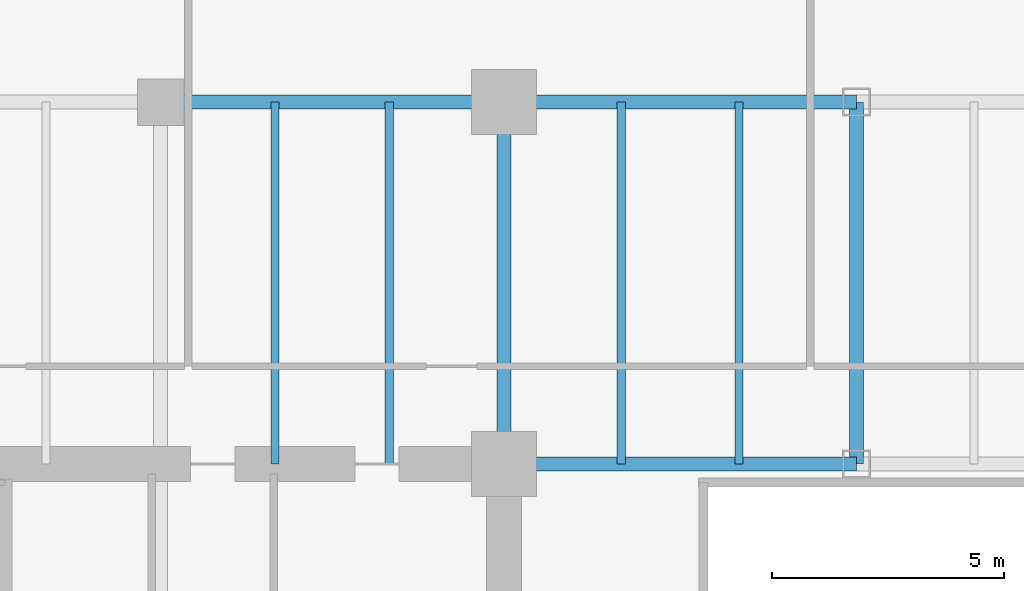
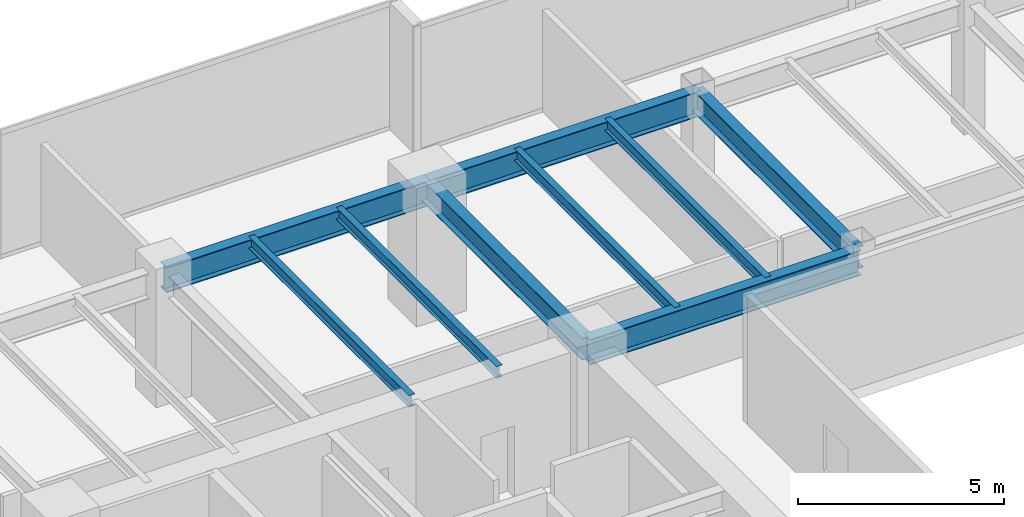
# One storey, part 13 of 35: 9 beams.
"""IFC4 building model written with IfcOpenShell, lengths in metres."""

import ifcopenshell
import ifcopenshell.guid

model = None  # the IFC model being written
_history = None  # IfcOwnerHistory: only IFC2X3 demands one
_inside = {}  # id of a spatial element -> (the spatial element, [elements in it])
_under = {}  # id of a project, library or spatial element -> (it, [spatial elements below it])
_declared = {}  # id of a project -> (the project, [libraries it declares])
_typed = {}  # id of a type object -> (the type object, [elements of that type])
_made_of = {}  # id of a material, layer set ... -> (it, [elements and type objects made of it])


def new_model(schema):
    """Start an empty IFC model of exactly this schema.

    Asked for "IFC4X3", IfcOpenShell would pick the latest addendum, in which some entities
    have other attributes; the version numbers below select the first issue.
    IFC2X3 requires an IfcOwnerHistory on every rooted entity: one is made here for all.
    """
    global model, _history
    if schema == "IFC4X3":
        model = ifcopenshell.file(schema_version=(4, 3, 0, 0))
    else:
        model = ifcopenshell.file(schema=schema)
    _inside.clear()
    _under.clear()
    _declared.clear()
    _typed.clear()
    _made_of.clear()
    _history = None
    if model.schema == "IFC2X3":
        org = make("IfcOrganization", Name="unknown")
        user = make(
            "IfcPersonAndOrganization",
            ThePerson=make("IfcPerson", FamilyName="unknown"),
            TheOrganization=org,
        )
        app = make(
            "IfcApplication",
            ApplicationDeveloper=org,
            Version="unknown",
            ApplicationFullName="unknown",
            ApplicationIdentifier="unknown",
        )
        _history = make(
            "IfcOwnerHistory",
            OwningUser=user,
            OwningApplication=app,
            ChangeAction="ADDED",
            CreationDate=0,
        )
    return model


def make(cls, **values):
    """One entity of the class cls with the attributes given. An attribute that is None is left unset."""
    return model.create_entity(
        cls, **{name: value for name, value in values.items() if value is not None}
    )


def rooted(cls, **values):
    """An entity with a GlobalId (a new one), such as an element, a storey or a relation."""
    return make(cls, GlobalId=ifcopenshell.guid.new(), OwnerHistory=_history, **values)


def si_unit(unit_type, name, prefix=None):
    """IfcSIUnit, for example si_unit("LENGTHUNIT", "METRE", prefix="MILLI")."""
    return make("IfcSIUnit", UnitType=unit_type, Prefix=prefix, Name=name)


def assignment(units):
    """IfcUnitAssignment: the units of a project."""
    return None if units is None else make("IfcUnitAssignment", Units=units)


def point(xyz):
    """IfcCartesianPoint."""
    return None if xyz is None else make("IfcCartesianPoint", Coordinates=xyz)


def direction(xyz):
    """IfcDirection."""
    return None if xyz is None else make("IfcDirection", DirectionRatios=xyz)


def frame(location, z_axis=None, x_axis=None):
    """IfcAxis2Placement3D, a coordinate frame: its origin and axes. An axis left out is left unset."""
    return make(
        "IfcAxis2Placement3D",
        Location=point(location),
        Axis=direction(z_axis),
        RefDirection=direction(x_axis),
    )


def frame_2d(location, x_axis=None):
    """IfcAxis2Placement2D, a coordinate frame in the plane: its origin and x axis."""
    return make(
        "IfcAxis2Placement2D", Location=point(location), RefDirection=direction(x_axis)
    )


def origin():
    """The frame at (0, 0, 0) with its axes left unset."""
    return frame((0.0, 0.0, 0.0))


def origin_2d():
    """The frame at (0, 0) in the plane with its x axis left unset."""
    return frame_2d((0.0, 0.0))


def place(relative_to, where):
    """IfcLocalPlacement: puts the frame where relative to a parent placement (None: the world)."""
    return make(
        "IfcLocalPlacement", PlacementRelTo=relative_to, RelativePlacement=where
    )


def context(
    kind, dimensions, precision=None, world=None, true_north=None, identifier=None
):
    """IfcGeometricRepresentationContext, for example the 3D "Model" context."""
    return make(
        "IfcGeometricRepresentationContext",
        ContextIdentifier=identifier,
        ContextType=kind,
        CoordinateSpaceDimension=dimensions,
        Precision=precision,
        WorldCoordinateSystem=world,
        TrueNorth=true_north,
    )


def subcontext(parent, identifier, kind, view, scale=None):
    """IfcGeometricRepresentationSubContext, for example "Body" below "Model"."""
    return make(
        "IfcGeometricRepresentationSubContext",
        ContextIdentifier=identifier,
        ContextType=kind,
        ParentContext=parent,
        TargetScale=scale,
        TargetView=view,
    )


def project(units=None, contexts=None):
    """IfcProject with its units and contexts."""
    return rooted(
        "IfcProject",
        Name="project",
        RepresentationContexts=contexts,
        UnitsInContext=assignment(units),
    )


def spatial(cls, under=None, at=None, **own):
    """A site, building, storey or space (cls), placed at a placement, below another one or the project."""
    s = rooted(cls, ObjectPlacement=at, **own)
    if under is not None:
        _under.setdefault(under.id(), (under, []))[1].append(s)
    return s


def profile(cls, at=None, kind="AREA", **sizes):
    """A parametric profile (cls). Its sizes go by their IFC names, for example OverallWidth=200.0."""
    return make(cls, ProfileType=kind, Position=at, **sizes)


def i_section(**sizes):
    """IfcIShapeProfileDef."""
    return profile("IfcIShapeProfileDef", **sizes)


def extrude(swept, where, along, depth):
    """IfcExtrudedAreaSolid: the profile swept, set in the frame where, extruded along a direction by depth."""
    return make(
        "IfcExtrudedAreaSolid",
        SweptArea=swept,
        Position=where,
        ExtrudedDirection=direction(along),
        Depth=depth,
    )


def shape(context_of_items, identifier, shape_type, items):
    """IfcShapeRepresentation: the items that make up one representation, for example the "Body"."""
    return make(
        "IfcShapeRepresentation",
        ContextOfItems=context_of_items,
        RepresentationIdentifier=identifier,
        RepresentationType=shape_type,
        Items=items,
    )


def source(mapping_origin, context_of_items, identifier, shape_type, items):
    """IfcRepresentationMap: a shape defined once, which mapped items show again and again."""
    return make(
        "IfcRepresentationMap",
        MappingOrigin=mapping_origin,
        MappedRepresentation=shape(context_of_items, identifier, shape_type, items),
    )


def transform(
    local_origin,
    x_axis=None,
    y_axis=None,
    z_axis=None,
    scale=None,
    scale2=None,
    scale3=None,
    uniform=True,
):
    """IfcCartesianTransformationOperator3D, or its non-uniform kind. x_axis, y_axis, z_axis: its Axis1, 2, 3."""
    if uniform:
        return make(
            "IfcCartesianTransformationOperator3D",
            Axis1=direction(x_axis),
            Axis2=direction(y_axis),
            LocalOrigin=point(local_origin),
            Scale=scale,
            Axis3=direction(z_axis),
        )
    return make(
        "IfcCartesianTransformationOperator3DnonUniform",
        Axis1=direction(x_axis),
        Axis2=direction(y_axis),
        LocalOrigin=point(local_origin),
        Scale=scale,
        Axis3=direction(z_axis),
        Scale2=scale2,
        Scale3=scale3,
    )


def mapped(mapping_source, mapping_target):
    """IfcMappedItem: shows the shape of a source again, moved by a transform."""
    return make(
        "IfcMappedItem", MappingSource=mapping_source, MappingTarget=mapping_target
    )


def material(Name=None, Category=None):
    """IfcMaterial."""
    return make("IfcMaterial", Name=Name, Category=Category)


def material_profile(
    of_material, cross_section, Name=None, Category=None, Priority=None
):
    """IfcMaterialProfile: a cross section and its material."""
    return make(
        "IfcMaterialProfile",
        Name=Name,
        Material=of_material,
        Profile=cross_section,
        Priority=Priority,
        Category=Category,
    )


def profile_set(profiles, Name=None, composite=None):
    """IfcMaterialProfileSet."""
    return make(
        "IfcMaterialProfileSet",
        Name=Name,
        MaterialProfiles=profiles,
        CompositeProfile=composite,
    )


def made_of(thing, what):
    """Note that an element or type object is made of a material, layer set ...; save() writes the relation."""
    if what is not None:
        _made_of.setdefault(what.id(), (what, []))[1].append(thing)
    return thing


def type_object(cls, material=None, **own):
    """A type object (cls), such as IfcWallType, which elements share."""
    return made_of(rooted(cls, **own), material)


def type_shapes(of_type, sources):
    """Give a type object the sources (RepresentationMaps) that its elements show as mapped items."""
    of_type.RepresentationMaps = sources


def element(
    cls,
    number,
    at=None,
    inside=None,
    cuts=None,
    type_object=None,
    material=None,
    context=None,
    identifier="Body",
    shape_type=None,
    held_by="IfcProductDefinitionShape",
    body=None,
    shapes=None,
    **own,
):
    """One element of the class cls, such as IfcWall. Its Tag is "e" and its number.

    at: its placement. inside: the storey or other place that contains it. cuts: it is an
    opening in that element (IfcRelVoidsElement). A single representation is given by context,
    identifier, shape_type and body (its items); several are given by shapes. held_by: the class
    of the entity that holds the representations. save() writes the other relations.
    """
    e = rooted(cls, Tag="e%d" % number, ObjectPlacement=at, **own)
    if body is not None:
        shapes = [shape(context, identifier, shape_type, body)]
    if shapes is not None:
        e.Representation = make(held_by, Representations=shapes)
    if inside is not None:
        _inside.setdefault(inside.id(), (inside, []))[1].append(e)
    if cuts is not None:
        rooted(
            "IfcRelVoidsElement", RelatingBuildingElement=cuts, RelatedOpeningElement=e
        )
    if type_object is not None:
        _typed.setdefault(type_object.id(), (type_object, []))[1].append(e)
    return made_of(e, material)


def aggregate(whole, parts):
    """IfcRelAggregates: a whole, such as a stair, and the parts it consists of."""
    return rooted("IfcRelAggregates", RelatingObject=whole, RelatedObjects=parts)


def save(model, path):
    """Write the relations noted so far, then the file.

    IfcRelAggregates (storeys below a building ...), IfcRelContainedInSpatialStructure (elements
    in a storey), IfcRelDefinesByType, IfcRelAssociatesMaterial and IfcRelDeclares: one each for
    every whole, place, type object, material and project.
    """
    for whole, parts in _under.values():
        aggregate(whole, parts)
    for where, things in _inside.values():
        rooted(
            "IfcRelContainedInSpatialStructure",
            RelatedElements=things,
            RelatingStructure=where,
        )
    for kind, things in _typed.values():
        rooted("IfcRelDefinesByType", RelatedObjects=things, RelatingType=kind)
    for what, things in _made_of.values():
        rooted("IfcRelAssociatesMaterial", RelatedObjects=things, RelatingMaterial=what)
    for by, libraries in _declared.values():
        rooted("IfcRelDeclares", RelatingContext=by, RelatedDefinitions=libraries)
    model.write(path)


model = new_model("IFC4")

# Units and contexts
model_context = context("Model", 3, precision=1e-05, world=origin(), true_north=direction((0.0, 1.0)))
body_context = subcontext(model_context, "Body", "Model", "MODEL_VIEW")
ifc_project = project(units=[si_unit("LENGTHUNIT", "METRE"), si_unit("AREAUNIT", "SQUARE_METRE"), si_unit("VOLUMEUNIT", "CUBIC_METRE"), si_unit("PLANEANGLEUNIT", "RADIAN"), si_unit("MASSUNIT", "GRAM", prefix="KILO")], contexts=[model_context])

# Site, building, storey
site_placement = place(None, origin())
site = spatial("IfcSite", under=ifc_project, at=site_placement, CompositionType="ELEMENT")
building_placement = place(site_placement, origin())
building = spatial("IfcBuilding", under=site, at=building_placement, Name="Haelvirn Gate Laboratories", CompositionType="ELEMENT")
storey_placement = place(building_placement, frame((0.0, 0.0, 70.300048828125)))
storey = spatial("IfcBuildingStorey", under=building, at=storey_placement, Name="L17", CompositionType="ELEMENT", Elevation=70.300048828125)

# Beams
ifc_material = material(Name="Steel SM355", Category="steel")
ifc_material_profile_1 = material_profile(ifc_material, i_section(OverallWidth=0.300048828125, OverallDepth=0.75, WebThickness=0.013916015625, FlangeThickness=0.02392578125, at=origin_2d()), Name="H-750x300x14x24")
ifc_profile_set_1 = profile_set([ifc_material_profile_1], Name="Steel SM355")
beam_type_1 = type_object("IfcBeamType", Name="BM-G-750", PredefinedType="BEAM", material=ifc_profile_set_1)
shared_shape_1 = source(origin(), body_context, "Body", "SweptSolid", [
    extrude(i_section(OverallWidth=0.300048828125, OverallDepth=0.75, WebThickness=0.013916015625, FlangeThickness=0.02392578125, at=origin_2d()), origin(), (0.0, 0.0, 1.0), 7.39990234375),
])
beam_placement = place(storey_placement, frame((14.800048828125, 41.60009765625, 3.405029296875), z_axis=(1.0, 0.0, 0.0), x_axis=(0.0, 1.0, 0.0)))
element("IfcBeam", 1, at=beam_placement, inside=storey, type_object=beam_type_1, Name="L17 Primary Girder Y41.6 (14.8-22.2)", PredefinedType="BEAM", context=body_context, shape_type="MappedRepresentation", body=[
    mapped(shared_shape_1, transform((0.0, 0.0, 0.0), scale=1.0)),
])
shared_shape_2 = source(origin(), body_context, "Body", "SweptSolid", [
    extrude(i_section(OverallWidth=0.300048828125, OverallDepth=0.75, WebThickness=0.013916015625, FlangeThickness=0.02392578125, at=origin_2d()), origin(), (0.0, 0.0, 1.0), 7.60009765625),
])
type_shapes(beam_type_1, [shared_shape_1, shared_shape_2])
for number, where, z_axis, x_axis, name in (
    (2, (22.199951171875, 33.800048828125, 3.405029296875), (1.0, 0.0, 0.0), (0.0, 1.0, 0.0), "L17 Primary Girder Y33.8 (22.2-29.8)"),
    (3, (22.199951171875, 41.60009765625, 3.405029296875), (1.0, 0.0, 0.0), (0.0, 1.0, 0.0), "L17 Primary Girder Y41.6 (22.2-29.8)"),
):
    element("IfcBeam", number, at=place(storey_placement, frame(where, z_axis=z_axis, x_axis=x_axis)), inside=storey, type_object=beam_type_1, Name=name, PredefinedType="BEAM", context=body_context, shape_type="MappedRepresentation", body=[
        mapped(shared_shape_2, transform((0.0, 0.0, 0.0), scale=1.0)),
    ])
ifc_material_profile_2 = material_profile(ifc_material, i_section(OverallWidth=0.175048828125, OverallDepth=0.35009765625, WebThickness=0.007080078125, FlangeThickness=0.010986328125, at=origin_2d()), Name="H-350x175x7x11")
ifc_profile_set_2 = profile_set([ifc_material_profile_2], Name="Steel SM355")
beam_type_2 = type_object("IfcBeamType", Name="BM-J-350", PredefinedType="JOIST", material=ifc_profile_set_2)
shared_shape_3 = source(origin(), body_context, "Body", "SweptSolid", [
    extrude(i_section(OverallWidth=0.175048828125, OverallDepth=0.35009765625, WebThickness=0.007080078125, FlangeThickness=0.010986328125, at=origin_2d()), origin(), (0.0, 0.0, 1.0), 7.800048828125),
])
type_shapes(beam_type_2, [shared_shape_3])
for number, where, z_axis, x_axis, name in (
    (4, (17.27001953125, 33.800048828125, 3.60498046875), (0.0, 1.0, 0.0), (-1.0, 0.0, 0.0), "L17 Composite Lab Joist North X17.27"),
    (5, (19.72998046875, 33.800048828125, 3.60498046875), (0.0, 1.0, 0.0), (-1.0, 0.0, 0.0), "L17 Composite Lab Joist North X19.73"),
    (6, (24.72998046875, 33.800048828125, 3.60498046875), (0.0, 1.0, 0.0), (-1.0, 0.0, 0.0), "L17 Composite Lab Joist North X24.73"),
    (7, (27.27001953125, 33.800048828125, 3.60498046875), (0.0, 1.0, 0.0), (-1.0, 0.0, 0.0), "L17 Composite Lab Joist North X27.27"),
):
    element("IfcBeam", number, at=place(storey_placement, frame(where, z_axis=z_axis, x_axis=x_axis)), inside=storey, type_object=beam_type_2, Name=name, PredefinedType="JOIST", context=body_context, shape_type="MappedRepresentation", body=[
        mapped(shared_shape_3, transform((0.0, 0.0, 0.0), scale=1.0)),
    ])
ifc_material_profile_3 = material_profile(ifc_material, i_section(OverallWidth=0.300048828125, OverallDepth=0.64990234375, WebThickness=0.012939453125, FlangeThickness=0.02197265625, at=origin_2d()), Name="H-650x300x13x22")
ifc_profile_set_3 = profile_set([ifc_material_profile_3], Name="Steel SM355")
beam_type_3 = type_object("IfcBeamType", Name="BM-G-650", PredefinedType="BEAM", material=ifc_profile_set_3)
shared_shape_4 = source(origin(), body_context, "Body", "SweptSolid", [
    extrude(i_section(OverallWidth=0.300048828125, OverallDepth=0.64990234375, WebThickness=0.012939453125, FlangeThickness=0.02197265625, at=origin_2d()), origin(), (0.0, 0.0, 1.0), 7.800048828125),
])
type_shapes(beam_type_3, [shared_shape_4])
for number, where, z_axis, x_axis, name in (
    (8, (22.199951171875, 33.800048828125, 3.454833984375), (0.0, 1.0, 0.0), (-1.0, 0.0, 0.0), "L17 Frame Girder X22.2 (33.8-41.6)"),
    (9, (29.800048828125, 33.800048828125, 3.454833984375), (0.0, 1.0, 0.0), (-1.0, 0.0, 0.0), "L17 Frame Girder X29.8 (33.8-41.6)"),
):
    element("IfcBeam", number, at=place(storey_placement, frame(where, z_axis=z_axis, x_axis=x_axis)), inside=storey, type_object=beam_type_3, Name=name, PredefinedType="BEAM", context=body_context, shape_type="MappedRepresentation", body=[
        mapped(shared_shape_4, transform((0.0, 0.0, 0.0), scale=1.0)),
    ])

save(model, "model.ifc")
